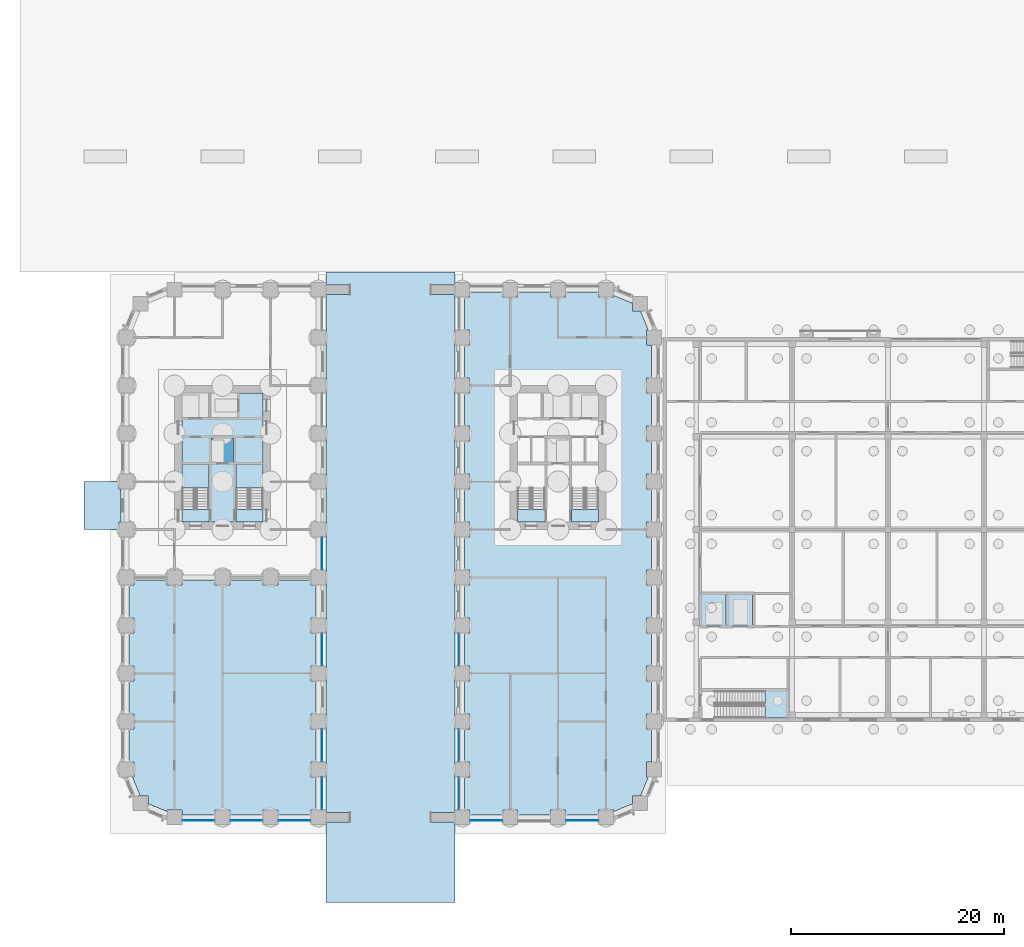
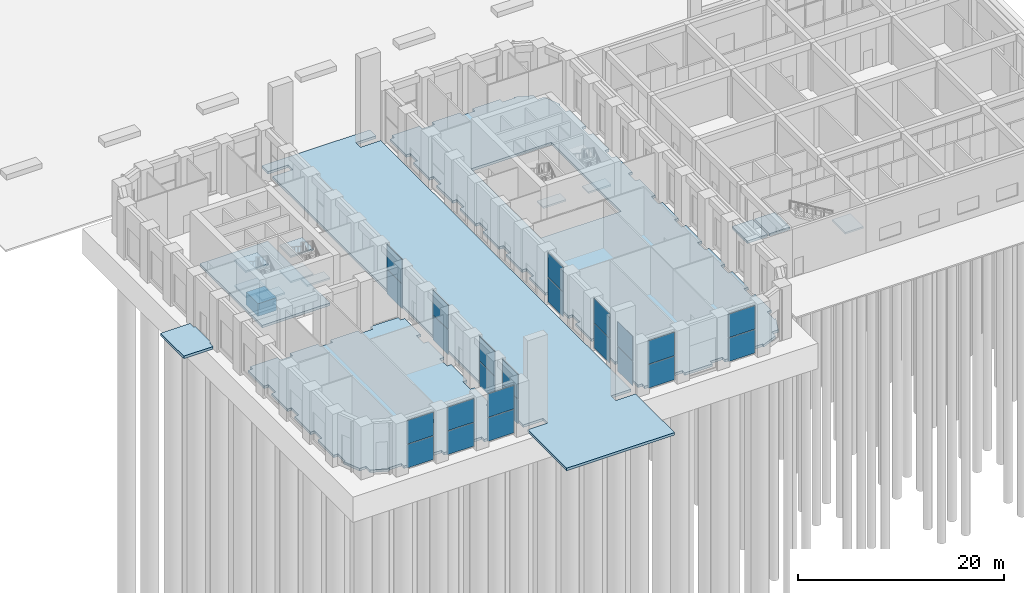
# One storey, part 11 of 31: 24 plates, 17 slabs, 17 elements without a shape of their own.
"""IFC4 building model written with IfcOpenShell, lengths in metres."""

from ifc_helpers import new_model, si_unit, direction, frame, origin, origin_2d, place, context, subcontext, project, spatial, polyline, rectangle, outline, extrude, material, layer, layer_set, type_object, element, aggregate, save


model = new_model("IFC4")

# Units and contexts
model_context = context("Model", 3, precision=1e-05, world=origin(), true_north=direction((0.0, 1.0)))
body_context = subcontext(model_context, "Body", "Model", "MODEL_VIEW")
ifc_project = project(units=[si_unit("LENGTHUNIT", "METRE"), si_unit("AREAUNIT", "SQUARE_METRE"), si_unit("VOLUMEUNIT", "CUBIC_METRE"), si_unit("PLANEANGLEUNIT", "RADIAN"), si_unit("MASSUNIT", "GRAM", prefix="KILO")], contexts=[model_context])

# Site, building, storey
site_placement = place(None, origin())
site = spatial("IfcSite", under=ifc_project, at=site_placement, CompositionType="ELEMENT")
building_placement = place(site_placement, origin())
building = spatial("IfcBuilding", under=site, at=building_placement, Name="Girih Gate Residences", CompositionType="ELEMENT")
storey_placement = place(building_placement, origin())
storey = spatial("IfcBuildingStorey", under=building, at=storey_placement, Name="L00", CompositionType="ELEMENT", Elevation=0.0)

# Curtain wall, plates
ifc_material_1 = material(Name="Aluminium curtain wall frame", Category="aluminium")
curtain_wall_type_1 = type_object("IfcCurtainWallType", Name="Curtain wall CW-6 street frontage glazing", PredefinedType="NOTDEFINED", material=ifc_material_1)
curtain_wall_1_placement = place(storey_placement, origin())
curtain_wall_1 = element("IfcCurtainWall", 1, at=curtain_wall_1_placement, inside=storey, type_object=curtain_wall_type_1, Name="CW-6 Street frontage glazing S0045_0000.0", PredefinedType="NOTDEFINED")
ifc_material_2 = material(Name="Laminated safety glass", Category="glass")
ifc_layer_1 = layer(ifc_material_2, 0.02197265625)
ifc_layer_set_1 = layer_set([ifc_layer_1], Name="Curtain wall glass panel 22")
plate_type = type_object("IfcPlateType", Name="Curtain wall glass panel 22", PredefinedType="CURTAIN_PANEL", material=ifc_layer_set_1)
plate_1_placement = place(storey_placement, frame((6.75, -0.304931640625, 0.06005859375), z_axis=(0.0, 0.0, 1.0), x_axis=(1.0, 0.0, 0.0)))
plate_1 = element("IfcPlate", 2, at=plate_1_placement, type_object=plate_type, Name="CW-6 panel 1.1", PredefinedType="CURTAIN_PANEL", context=body_context, shape_type="SweptSolid", body=[
    extrude(rectangle(XDim=2.97998046875, YDim=0.028076171875, at=origin_2d()), origin(), (0.0, 0.0, 1.0), 2.784912109375),
])
plate_2_placement = place(storey_placement, frame((6.75, -0.304931640625, 2.9052734375), z_axis=(0.0, 0.0, 1.0), x_axis=(1.0, 0.0, 0.0)))
plate_2 = element("IfcPlate", 3, at=plate_2_placement, type_object=plate_type, Name="CW-6 panel 1.2", PredefinedType="CURTAIN_PANEL", context=body_context, shape_type="SweptSolid", body=[
    extrude(rectangle(XDim=2.97998046875, YDim=0.028076171875, at=origin_2d()), origin(), (0.0, 0.0, 1.0), 2.784912109375),
])
aggregate(curtain_wall_1, [plate_1, plate_2])

curtain_wall_2_placement = place(storey_placement, origin())
curtain_wall_2 = element("IfcCurtainWall", 4, at=curtain_wall_2_placement, inside=storey, type_object=curtain_wall_type_1, Name="CW-6 Street frontage glazing S0045_0000.1", PredefinedType="NOTDEFINED")
plate_3_placement = place(storey_placement, frame((11.25, -0.304931640625, 0.06005859375), z_axis=(0.0, 0.0, 1.0), x_axis=(1.0, 0.0, 0.0)))
plate_3 = element("IfcPlate", 5, at=plate_3_placement, type_object=plate_type, Name="CW-6 panel 1.1", PredefinedType="CURTAIN_PANEL", context=body_context, shape_type="SweptSolid", body=[
    extrude(rectangle(XDim=2.97998046875, YDim=0.028076171875, at=origin_2d()), origin(), (0.0, 0.0, 1.0), 2.784912109375),
])
plate_4_placement = place(storey_placement, frame((11.25, -0.304931640625, 2.9052734375), z_axis=(0.0, 0.0, 1.0), x_axis=(1.0, 0.0, 0.0)))
plate_4 = element("IfcPlate", 6, at=plate_4_placement, type_object=plate_type, Name="CW-6 panel 1.2", PredefinedType="CURTAIN_PANEL", context=body_context, shape_type="SweptSolid", body=[
    extrude(rectangle(XDim=2.97998046875, YDim=0.028076171875, at=origin_2d()), origin(), (0.0, 0.0, 1.0), 2.784912109375),
])
aggregate(curtain_wall_2, [plate_3, plate_4])

curtain_wall_3_placement = place(storey_placement, origin())
curtain_wall_3 = element("IfcCurtainWall", 7, at=curtain_wall_3_placement, inside=storey, type_object=curtain_wall_type_1, Name="CW-6 Street frontage glazing S0045_0000.2", PredefinedType="NOTDEFINED")
plate_5_placement = place(storey_placement, frame((15.75, -0.304931640625, 0.06005859375), z_axis=(0.0, 0.0, 1.0), x_axis=(1.0, 0.0, 0.0)))
plate_5 = element("IfcPlate", 8, at=plate_5_placement, type_object=plate_type, Name="CW-6 panel 1.1", PredefinedType="CURTAIN_PANEL", context=body_context, shape_type="SweptSolid", body=[
    extrude(rectangle(XDim=2.97998046875, YDim=0.028076171875, at=origin_2d()), origin(), (0.0, 0.0, 1.0), 2.784912109375),
])
plate_6_placement = place(storey_placement, frame((15.75, -0.304931640625, 2.9052734375), z_axis=(0.0, 0.0, 1.0), x_axis=(1.0, 0.0, 0.0)))
plate_6 = element("IfcPlate", 9, at=plate_6_placement, type_object=plate_type, Name="CW-6 panel 1.2", PredefinedType="CURTAIN_PANEL", context=body_context, shape_type="SweptSolid", body=[
    extrude(rectangle(XDim=2.97998046875, YDim=0.028076171875, at=origin_2d()), origin(), (0.0, 0.0, 1.0), 2.784912109375),
])
aggregate(curtain_wall_3, [plate_5, plate_6])

curtain_wall_type_2 = type_object("IfcCurtainWallType", Name="Curtain wall CW-1 arcade glazing", PredefinedType="NOTDEFINED", material=ifc_material_1)
curtain_wall_4_placement = place(storey_placement, origin())
curtain_wall_4 = element("IfcCurtainWall", 10, at=curtain_wall_4_placement, inside=storey, type_object=curtain_wall_type_2, Name="CW-1 Arcade glazing E0180_0000.0", PredefinedType="NOTDEFINED")
plate_7_placement = place(storey_placement, frame((18.324951171875, 2.25, 0.06005859375), z_axis=(0.0, 0.0, 1.0), x_axis=(0.0, 1.0, 0.0)))
plate_7 = element("IfcPlate", 11, at=plate_7_placement, type_object=plate_type, Name="CW-1 panel 1.1", PredefinedType="CURTAIN_PANEL", context=body_context, shape_type="SweptSolid", body=[
    extrude(rectangle(XDim=2.97998046875, YDim=0.028076171875, at=origin_2d()), origin(), (0.0, 0.0, 1.0), 2.909912109375),
])
plate_8_placement = place(storey_placement, frame((18.324951171875, 2.25, 3.0302734375), z_axis=(0.0, 0.0, 1.0), x_axis=(0.0, 1.0, 0.0)))
plate_8 = element("IfcPlate", 12, at=plate_8_placement, type_object=plate_type, Name="CW-1 panel 1.2", PredefinedType="CURTAIN_PANEL", context=body_context, shape_type="SweptSolid", body=[
    extrude(rectangle(XDim=2.97998046875, YDim=0.028076171875, at=origin_2d()), origin(), (0.0, 0.0, 1.0), 2.909912109375),
])
aggregate(curtain_wall_4, [plate_7, plate_8])

curtain_wall_5_placement = place(storey_placement, origin())
curtain_wall_5 = element("IfcCurtainWall", 13, at=curtain_wall_5_placement, inside=storey, type_object=curtain_wall_type_2, Name="CW-1 Arcade glazing E0180_0000.1", PredefinedType="NOTDEFINED")
plate_9_placement = place(storey_placement, frame((18.324951171875, 6.75, 0.06005859375), z_axis=(0.0, 0.0, 1.0), x_axis=(0.0, 1.0, 0.0)))
plate_9 = element("IfcPlate", 14, at=plate_9_placement, type_object=plate_type, Name="CW-1 panel 1.1", PredefinedType="CURTAIN_PANEL", context=body_context, shape_type="SweptSolid", body=[
    extrude(rectangle(XDim=2.97998046875, YDim=0.028076171875, at=origin_2d()), origin(), (0.0, 0.0, 1.0), 2.909912109375),
])
plate_10_placement = place(storey_placement, frame((18.324951171875, 6.75, 3.0302734375), z_axis=(0.0, 0.0, 1.0), x_axis=(0.0, 1.0, 0.0)))
plate_10 = element("IfcPlate", 15, at=plate_10_placement, type_object=plate_type, Name="CW-1 panel 1.2", PredefinedType="CURTAIN_PANEL", context=body_context, shape_type="SweptSolid", body=[
    extrude(rectangle(XDim=2.97998046875, YDim=0.028076171875, at=origin_2d()), origin(), (0.0, 0.0, 1.0), 2.909912109375),
])
aggregate(curtain_wall_5, [plate_9, plate_10])

curtain_wall_6_placement = place(storey_placement, origin())
curtain_wall_6 = element("IfcCurtainWall", 16, at=curtain_wall_6_placement, inside=storey, type_object=curtain_wall_type_2, Name="CW-1 Arcade glazing E0180_0000.3", PredefinedType="NOTDEFINED")
plate_11_placement = place(storey_placement, frame((18.324951171875, 15.75, 0.06005859375), z_axis=(0.0, 0.0, 1.0), x_axis=(0.0, 1.0, 0.0)))
plate_11 = element("IfcPlate", 17, at=plate_11_placement, type_object=plate_type, Name="CW-1 panel 1.1", PredefinedType="CURTAIN_PANEL", context=body_context, shape_type="SweptSolid", body=[
    extrude(rectangle(XDim=2.97998046875, YDim=0.028076171875, at=origin_2d()), origin(), (0.0, 0.0, 1.0), 2.909912109375),
])
plate_12_placement = place(storey_placement, frame((18.324951171875, 15.75, 3.0302734375), z_axis=(0.0, 0.0, 1.0), x_axis=(0.0, 1.0, 0.0)))
plate_12 = element("IfcPlate", 18, at=plate_12_placement, type_object=plate_type, Name="CW-1 panel 1.2", PredefinedType="CURTAIN_PANEL", context=body_context, shape_type="SweptSolid", body=[
    extrude(rectangle(XDim=2.97998046875, YDim=0.028076171875, at=origin_2d()), origin(), (0.0, 0.0, 1.0), 2.909912109375),
])
aggregate(curtain_wall_6, [plate_11, plate_12])

curtain_wall_7_placement = place(storey_placement, origin())
curtain_wall_7 = element("IfcCurtainWall", 19, at=curtain_wall_7_placement, inside=storey, type_object=curtain_wall_type_2, Name="CW-1 Arcade glazing E0180_0000.5", PredefinedType="NOTDEFINED")
plate_13_placement = place(storey_placement, frame((18.324951171875, 24.75, 0.06005859375), z_axis=(0.0, 0.0, 1.0), x_axis=(0.0, 1.0, 0.0)))
plate_13 = element("IfcPlate", 20, at=plate_13_placement, type_object=plate_type, Name="CW-1 panel 1.1", PredefinedType="CURTAIN_PANEL", context=body_context, shape_type="SweptSolid", body=[
    extrude(rectangle(XDim=2.97998046875, YDim=0.028076171875, at=origin_2d()), origin(), (0.0, 0.0, 1.0), 2.909912109375),
])
plate_14_placement = place(storey_placement, frame((18.324951171875, 24.75, 3.0302734375), z_axis=(0.0, 0.0, 1.0), x_axis=(0.0, 1.0, 0.0)))
plate_14 = element("IfcPlate", 21, at=plate_14_placement, type_object=plate_type, Name="CW-1 panel 1.2", PredefinedType="CURTAIN_PANEL", context=body_context, shape_type="SweptSolid", body=[
    extrude(rectangle(XDim=2.97998046875, YDim=0.028076171875, at=origin_2d()), origin(), (0.0, 0.0, 1.0), 2.909912109375),
])
aggregate(curtain_wall_7, [plate_13, plate_14])

curtain_wall_8_placement = place(storey_placement, origin())
curtain_wall_8 = element("IfcCurtainWall", 22, at=curtain_wall_8_placement, inside=storey, type_object=curtain_wall_type_1, Name="CW-6 Street frontage glazing S0315_0000.0", PredefinedType="NOTDEFINED")
plate_15_placement = place(storey_placement, frame((33.75, -0.304931640625, 0.06005859375), z_axis=(0.0, 0.0, 1.0), x_axis=(1.0, 0.0, 0.0)))
plate_15 = element("IfcPlate", 23, at=plate_15_placement, type_object=plate_type, Name="CW-6 panel 1.1", PredefinedType="CURTAIN_PANEL", context=body_context, shape_type="SweptSolid", body=[
    extrude(rectangle(XDim=2.97998046875, YDim=0.028076171875, at=origin_2d()), origin(), (0.0, 0.0, 1.0), 2.784912109375),
])
plate_16_placement = place(storey_placement, frame((33.75, -0.304931640625, 2.9052734375), z_axis=(0.0, 0.0, 1.0), x_axis=(1.0, 0.0, 0.0)))
plate_16 = element("IfcPlate", 24, at=plate_16_placement, type_object=plate_type, Name="CW-6 panel 1.2", PredefinedType="CURTAIN_PANEL", context=body_context, shape_type="SweptSolid", body=[
    extrude(rectangle(XDim=2.97998046875, YDim=0.028076171875, at=origin_2d()), origin(), (0.0, 0.0, 1.0), 2.784912109375),
])
aggregate(curtain_wall_8, [plate_15, plate_16])

curtain_wall_9_placement = place(storey_placement, origin())
curtain_wall_9 = element("IfcCurtainWall", 25, at=curtain_wall_9_placement, inside=storey, type_object=curtain_wall_type_1, Name="CW-6 Street frontage glazing S0315_0000.2", PredefinedType="NOTDEFINED")
plate_17_placement = place(storey_placement, frame((42.75, -0.304931640625, 0.06005859375), z_axis=(0.0, 0.0, 1.0), x_axis=(1.0, 0.0, 0.0)))
plate_17 = element("IfcPlate", 26, at=plate_17_placement, type_object=plate_type, Name="CW-6 panel 1.1", PredefinedType="CURTAIN_PANEL", context=body_context, shape_type="SweptSolid", body=[
    extrude(rectangle(XDim=2.97998046875, YDim=0.028076171875, at=origin_2d()), origin(), (0.0, 0.0, 1.0), 2.784912109375),
])
plate_18_placement = place(storey_placement, frame((42.75, -0.304931640625, 2.9052734375), z_axis=(0.0, 0.0, 1.0), x_axis=(1.0, 0.0, 0.0)))
plate_18 = element("IfcPlate", 27, at=plate_18_placement, type_object=plate_type, Name="CW-6 panel 1.2", PredefinedType="CURTAIN_PANEL", context=body_context, shape_type="SweptSolid", body=[
    extrude(rectangle(XDim=2.97998046875, YDim=0.028076171875, at=origin_2d()), origin(), (0.0, 0.0, 1.0), 2.784912109375),
])
aggregate(curtain_wall_9, [plate_17, plate_18])

curtain_wall_10_placement = place(storey_placement, origin())
curtain_wall_10 = element("IfcCurtainWall", 28, at=curtain_wall_10_placement, inside=storey, type_object=curtain_wall_type_2, Name="CW-1 Arcade glazing W0315_0495.7", PredefinedType="NOTDEFINED")
plate_19_placement = place(storey_placement, frame((31.175048828125, 15.75, 0.06005859375), z_axis=(0.0, 0.0, 1.0), x_axis=(0.0, -1.0, 0.0)))
plate_19 = element("IfcPlate", 29, at=plate_19_placement, type_object=plate_type, Name="CW-1 panel 1.1", PredefinedType="CURTAIN_PANEL", context=body_context, shape_type="SweptSolid", body=[
    extrude(rectangle(XDim=2.97998046875, YDim=0.028076171875, at=origin_2d()), origin(), (0.0, 0.0, 1.0), 2.909912109375),
])
plate_20_placement = place(storey_placement, frame((31.175048828125, 15.75, 3.0302734375), z_axis=(0.0, 0.0, 1.0), x_axis=(0.0, -1.0, 0.0)))
plate_20 = element("IfcPlate", 30, at=plate_20_placement, type_object=plate_type, Name="CW-1 panel 1.2", PredefinedType="CURTAIN_PANEL", context=body_context, shape_type="SweptSolid", body=[
    extrude(rectangle(XDim=2.97998046875, YDim=0.028076171875, at=origin_2d()), origin(), (0.0, 0.0, 1.0), 2.909912109375),
])
aggregate(curtain_wall_10, [plate_19, plate_20])

curtain_wall_11_placement = place(storey_placement, origin())
curtain_wall_11 = element("IfcCurtainWall", 31, at=curtain_wall_11_placement, inside=storey, type_object=curtain_wall_type_2, Name="CW-1 Arcade glazing W0315_0495.9", PredefinedType="NOTDEFINED")
plate_21_placement = place(storey_placement, frame((31.175048828125, 6.75, 0.06005859375), z_axis=(0.0, 0.0, 1.0), x_axis=(0.0, -1.0, 0.0)))
plate_21 = element("IfcPlate", 32, at=plate_21_placement, type_object=plate_type, Name="CW-1 panel 1.1", PredefinedType="CURTAIN_PANEL", context=body_context, shape_type="SweptSolid", body=[
    extrude(rectangle(XDim=2.97998046875, YDim=0.028076171875, at=origin_2d()), origin(), (0.0, 0.0, 1.0), 2.909912109375),
])
plate_22_placement = place(storey_placement, frame((31.175048828125, 6.75, 3.0302734375), z_axis=(0.0, 0.0, 1.0), x_axis=(0.0, -1.0, 0.0)))
plate_22 = element("IfcPlate", 33, at=plate_22_placement, type_object=plate_type, Name="CW-1 panel 1.2", PredefinedType="CURTAIN_PANEL", context=body_context, shape_type="SweptSolid", body=[
    extrude(rectangle(XDim=2.97998046875, YDim=0.028076171875, at=origin_2d()), origin(), (0.0, 0.0, 1.0), 2.909912109375),
])
aggregate(curtain_wall_11, [plate_21, plate_22])

curtain_wall_12_placement = place(storey_placement, origin())
curtain_wall_12 = element("IfcCurtainWall", 34, at=curtain_wall_12_placement, inside=storey, type_object=curtain_wall_type_2, Name="CW-1 Arcade glazing W0315_0495.10", PredefinedType="NOTDEFINED")
plate_23_placement = place(storey_placement, frame((31.175048828125, 2.25, 0.06005859375), z_axis=(0.0, 0.0, 1.0), x_axis=(0.0, -1.0, 0.0)))
plate_23 = element("IfcPlate", 35, at=plate_23_placement, type_object=plate_type, Name="CW-1 panel 1.1", PredefinedType="CURTAIN_PANEL", context=body_context, shape_type="SweptSolid", body=[
    extrude(rectangle(XDim=2.97998046875, YDim=0.028076171875, at=origin_2d()), origin(), (0.0, 0.0, 1.0), 2.909912109375),
])
plate_24_placement = place(storey_placement, frame((31.175048828125, 2.25, 3.0302734375), z_axis=(0.0, 0.0, 1.0), x_axis=(0.0, -1.0, 0.0)))
plate_24 = element("IfcPlate", 36, at=plate_24_placement, type_object=plate_type, Name="CW-1 panel 1.2", PredefinedType="CURTAIN_PANEL", context=body_context, shape_type="SweptSolid", body=[
    extrude(rectangle(XDim=2.97998046875, YDim=0.028076171875, at=origin_2d()), origin(), (0.0, 0.0, 1.0), 2.909912109375),
])
aggregate(curtain_wall_12, [plate_23, plate_24])

# Slabs
ifc_material_3 = material(Name="Granite paving", Category="masonry")
ifc_layer_2 = layer(ifc_material_3, 0.06005859375, Name="Granite paver")
ifc_material_4 = material(Name="Sand-cement bedding mortar")
ifc_layer_3 = layer(ifc_material_4, 0.0400390625, Name="Bedding")
ifc_material_5 = material(Name="Concrete C30/37", Category="concrete")
ifc_layer_4 = layer(ifc_material_5, 0.199951171875, Name="Concrete base")
ifc_layer_set_2 = layer_set([ifc_layer_2, ifc_layer_3, ifc_layer_4], Name="Entrance apron paving 300")
slab_type_1 = type_object("IfcSlabType", Name="Entrance apron paving 300", PredefinedType="USERDEFINED", material=ifc_layer_set_2)
slab_1_placement = place(storey_placement, frame((0.0, 0.0, -0.300048828125)))
element("IfcSlab", 37, at=slab_1_placement, inside=storey, type_object=slab_type_1, Name="Entrance apron west", ObjectType="PAVING", PredefinedType="USERDEFINED", context=body_context, shape_type="SweptSolid", body=[
    extrude(outline(polyline([(-0.52490234375, 27.699951171875), (-0.699951171875, 27.699951171875), (-0.699951171875, 27.0), (-4.0, 27.0), (-4.0, 31.5), (-0.699951171875, 31.5), (-0.699951171875, 30.800048828125), (-0.52490234375, 30.800048828125), (-0.52490234375, 27.699951171875)])), origin(), (0.0, 0.0, 1.0), 0.300048828125),
])
ifc_material_6 = material(Name="Concrete C40/50", Category="concrete")
ifc_layer_5 = layer(ifc_material_6, 0.300048828125)
ifc_layer_set_3 = layer_set([ifc_layer_5], Name="Ground slab RC 300 Concrete C40/50")
slab_type_2 = type_object("IfcSlabType", Name="Ground slab RC 300 Concrete C40/50", PredefinedType="BASESLAB", material=ifc_layer_set_3)
slab_2_placement = place(storey_placement, frame((0.0, 0.0, -0.300048828125)))
element("IfcSlab", 38, at=slab_2_placement, inside=storey, type_object=slab_type_2, Name="Ground slab L00 0", PredefinedType="BASESLAB", context=body_context, shape_type="SweptSolid", body=[
    extrude(outline(polyline([(14.199951171875, 0.22509765625), (17.300048828125, 0.22509765625), (17.300048828125, 0.699951171875), (17.77490234375, 0.699951171875), (17.77490234375, 3.800048828125), (17.300048828125, 3.800048828125), (17.300048828125, 5.199951171875), (17.77490234375, 5.199951171875), (17.77490234375, 8.300048828125), (17.300048828125, 8.300048828125), (17.300048828125, 9.699951171875), (17.77490234375, 9.699951171875), (17.77490234375, 12.800048828125), (17.300048828125, 12.800048828125), (17.300048828125, 14.199951171875), (17.77490234375, 14.199951171875), (17.77490234375, 17.300048828125), (17.300048828125, 17.300048828125), (17.300048828125, 18.699951171875), (17.77490234375, 18.699951171875), (17.77490234375, 21.800048828125), (17.300048828125, 21.800048828125), (17.300048828125, 22.27490234375), (14.199951171875, 22.27490234375), (14.199951171875, 21.800048828125), (12.800048828125, 21.800048828125), (12.800048828125, 22.27490234375), (9.699951171875, 22.27490234375), (9.699951171875, 21.800048828125), (8.300048828125, 21.800048828125), (8.300048828125, 22.27490234375), (5.199951171875, 22.27490234375), (5.199951171875, 21.800048828125), (3.800048828125, 21.800048828125), (3.800048828125, 22.27490234375), (0.699951171875, 22.27490234375), (0.699951171875, 21.800048828125), (0.22509765625, 21.800048828125), (0.22509765625, 18.699951171875), (0.699951171875, 18.699951171875), (0.699951171875, 17.300048828125), (0.22509765625, 17.300048828125), (0.22509765625, 14.199951171875), (0.699951171875, 14.199951171875), (0.699951171875, 12.800048828125), (0.22509765625, 12.800048828125), (0.22509765625, 9.699951171875), (0.699951171875, 9.699951171875), (0.699951171875, 8.300048828125), (0.22509765625, 8.300048828125), (0.22509765625, 5.199951171875), (0.699951171875, 5.199951171875), (0.699951171875, 3.800048828125), (0.533447265625, 3.800048828125), (1.271728515625, 2.01806640625), (2.01806640625, 2.01806640625), (2.01806640625, 1.271728515625), (3.800048828125, 0.533447265625), (3.800048828125, 0.699951171875), (5.199951171875, 0.699951171875), (5.199951171875, 0.22509765625), (8.300048828125, 0.22509765625), (8.300048828125, 0.699951171875), (9.699951171875, 0.699951171875), (9.699951171875, 0.22509765625), (12.800048828125, 0.22509765625), (12.800048828125, 0.699951171875), (14.199951171875, 0.699951171875), (14.199951171875, 0.22509765625)])), origin(), (0.0, 0.0, 1.0), 0.300048828125),
])
slab_3_placement = place(storey_placement, frame((0.0, 0.0, -0.300048828125)))
element("IfcSlab", 39, at=slab_3_placement, inside=storey, type_object=slab_type_2, Name="Ground slab L00 1", PredefinedType="BASESLAB", context=body_context, shape_type="SweptSolid", body=[
    extrude(outline(polyline([(35.300048828125, 49.27490234375), (32.199951171875, 49.27490234375), (32.199951171875, 48.800048828125), (31.72509765625, 48.800048828125), (31.72509765625, 45.699951171875), (32.199951171875, 45.699951171875), (32.199951171875, 44.300048828125), (31.72509765625, 44.300048828125), (31.72509765625, 41.199951171875), (32.199951171875, 41.199951171875), (32.199951171875, 39.800048828125), (31.72509765625, 39.800048828125), (31.72509765625, 36.699951171875), (32.199951171875, 36.699951171875), (32.199951171875, 35.300048828125), (31.72509765625, 35.300048828125), (31.72509765625, 32.199951171875), (32.199951171875, 32.199951171875), (32.199951171875, 30.800048828125), (31.72509765625, 30.800048828125), (31.72509765625, 27.699951171875), (32.199951171875, 27.699951171875), (32.199951171875, 26.300048828125), (31.72509765625, 26.300048828125), (31.72509765625, 23.199951171875), (32.199951171875, 23.199951171875), (32.199951171875, 21.800048828125), (31.72509765625, 21.800048828125), (31.72509765625, 18.699951171875), (32.199951171875, 18.699951171875), (32.199951171875, 17.300048828125), (31.72509765625, 17.300048828125), (31.72509765625, 14.199951171875), (32.199951171875, 14.199951171875), (32.199951171875, 12.800048828125), (31.72509765625, 12.800048828125), (31.72509765625, 9.699951171875), (32.199951171875, 9.699951171875), (32.199951171875, 8.300048828125), (31.72509765625, 8.300048828125), (31.72509765625, 5.199951171875), (32.199951171875, 5.199951171875), (32.199951171875, 3.800048828125), (31.72509765625, 3.800048828125), (31.72509765625, 0.699951171875), (32.199951171875, 0.699951171875), (32.199951171875, 0.22509765625), (35.300048828125, 0.22509765625), (35.300048828125, 0.699951171875), (36.699951171875, 0.699951171875), (36.699951171875, 0.22509765625), (39.800048828125, 0.22509765625), (39.800048828125, 0.699951171875), (41.199951171875, 0.699951171875), (41.199951171875, 0.22509765625), (44.300048828125, 0.22509765625), (44.300048828125, 0.699951171875), (45.699951171875, 0.699951171875), (45.699951171875, 0.533447265625), (47.48193359375, 1.271728515625), (47.48193359375, 2.01806640625), (48.228271484375, 2.01806640625), (48.966552734375, 3.800048828125), (48.800048828125, 3.800048828125), (48.800048828125, 5.199951171875), (49.27490234375, 5.199951171875), (49.27490234375, 8.300048828125), (48.800048828125, 8.300048828125), (48.800048828125, 9.699951171875), (49.27490234375, 9.699951171875), (49.27490234375, 12.800048828125), (48.800048828125, 12.800048828125), (48.800048828125, 14.199951171875), (49.27490234375, 14.199951171875), (49.27490234375, 17.300048828125), (48.800048828125, 17.300048828125), (48.800048828125, 18.699951171875), (49.27490234375, 18.699951171875), (49.27490234375, 21.800048828125), (48.800048828125, 21.800048828125), (48.800048828125, 23.199951171875), (49.27490234375, 23.199951171875), (49.27490234375, 26.300048828125), (48.800048828125, 26.300048828125), (48.800048828125, 27.699951171875), (49.27490234375, 27.699951171875), (49.27490234375, 30.800048828125), (48.800048828125, 30.800048828125), (48.800048828125, 32.199951171875), (49.27490234375, 32.199951171875), (49.27490234375, 35.300048828125), (48.800048828125, 35.300048828125), (48.800048828125, 36.699951171875), (49.27490234375, 36.699951171875), (49.27490234375, 39.800048828125), (48.800048828125, 39.800048828125), (48.800048828125, 41.199951171875), (49.27490234375, 41.199951171875), (49.27490234375, 44.300048828125), (48.800048828125, 44.300048828125), (48.800048828125, 45.699951171875), (48.966552734375, 45.699951171875), (48.228271484375, 47.48193359375), (47.48193359375, 47.48193359375), (47.48193359375, 48.228271484375), (45.699951171875, 48.966552734375), (45.699951171875, 48.800048828125), (44.300048828125, 48.800048828125), (44.300048828125, 49.27490234375), (41.199951171875, 49.27490234375), (41.199951171875, 48.800048828125), (39.800048828125, 48.800048828125), (39.800048828125, 49.27490234375), (36.699951171875, 49.27490234375), (36.699951171875, 48.800048828125), (35.300048828125, 48.800048828125), (35.300048828125, 49.27490234375)]), holes=[polyline([(45.0, 40.5), (45.0, 27.0), (36.0, 27.0), (36.0, 40.5), (45.0, 40.5)])]), origin(), (0.0, 0.0, 1.0), 0.300048828125),
])
slab_4_placement = place(storey_placement, frame((0.0, 0.0, -0.300048828125)))
element("IfcSlab", 40, at=slab_4_placement, inside=storey, type_object=slab_type_2, Name="Ground slab L00 2", PredefinedType="BASESLAB", context=body_context, shape_type="SweptSolid", body=[
    extrude(outline(polyline([(5.199951171875, 27.699951171875), (12.800048828125, 27.699951171875), (12.800048828125, 39.800048828125), (5.199951171875, 39.800048828125), (5.199951171875, 27.699951171875)])), origin(), (0.0, 0.0, 1.0), 0.300048828125),
])
ifc_layer_6 = layer(ifc_material_6, 0.300048828125)
ifc_layer_set_4 = layer_set([ifc_layer_6], Name="HC Lift pit slab 300 C40/50")
slab_type_3 = type_object("IfcSlabType", Name="HC Lift pit slab 300 C40/50", PredefinedType="USERDEFINED", material=ifc_layer_set_4)
slab_5_placement = place(storey_placement, frame((0.0, 0.0, -1.5)))
element("IfcSlab", 41, at=slab_5_placement, inside=storey, type_object=slab_type_3, Name="Lift 1 pit slab", ObjectType="LIFT PIT SLAB", PredefinedType="USERDEFINED", context=body_context, shape_type="SweptSolid", body=[
    extrude(outline(polyline([(53.949951171875, 18.0), (56.25, 18.0), (56.25, 20.89990234375), (53.949951171875, 20.89990234375), (53.949951171875, 18.0)])), origin(), (0.0, 0.0, 1.0), 0.300048828125),
])
slab_6_placement = place(storey_placement, frame((0.0, 0.0, -1.5)))
element("IfcSlab", 42, at=slab_6_placement, inside=storey, type_object=slab_type_3, Name="Lift 2 pit slab", ObjectType="LIFT PIT SLAB", PredefinedType="USERDEFINED", context=body_context, shape_type="SweptSolid", body=[
    extrude(outline(polyline([(56.449951171875, 18.0), (58.75, 18.0), (58.75, 20.89990234375), (56.449951171875, 20.89990234375), (56.449951171875, 18.0)])), origin(), (0.0, 0.0, 1.0), 0.300048828125),
])

# Stair, slab
stair_type_1 = type_object("IfcStairType", Name="HC Stair", PredefinedType="HALF_TURN_STAIR", material=ifc_material_6)
stair_1_placement = place(storey_placement, origin())
stair_1 = element("IfcStair", 43, at=stair_1_placement, inside=storey, type_object=stair_type_1, Name="L00 stair A", PredefinedType="HALF_TURN_STAIR")
ifc_layer_7 = layer(ifc_material_6, 0.199951171875)
ifc_layer_set_5 = layer_set([ifc_layer_7], Name="HC Stair landing 200")
slab_type_4 = type_object("IfcSlabType", Name="HC Stair landing 200", PredefinedType="LANDING", material=ifc_layer_set_5)
slab_7_placement = place(storey_placement, frame((0.0, 0.0, 2.800048828125)))
slab_7 = element("IfcSlab", 44, at=slab_7_placement, type_object=slab_type_4, Name="HC-STA landing 1", PredefinedType="LANDING", context=body_context, shape_type="SweptSolid", body=[
    extrude(outline(polyline([(59.909912109375, 9.300048828125), (61.949951171875, 9.300048828125), (61.949951171875, 11.85009765625), (59.909912109375, 11.85009765625), (59.909912109375, 9.300048828125)])), origin(), (0.0, 0.0, 1.0), 0.199951171875),
])
aggregate(stair_1, [slab_7])

# Slabs
ifc_material_7 = material(Name="Concrete C35/45", Category="concrete")
ifc_layer_8 = layer(ifc_material_7, 1.5)
ifc_layer_set_6 = layer_set([ifc_layer_8], Name="Lift pit slab RC 1500 Concrete C35/45")
slab_type_5 = type_object("IfcSlabType", Name="Lift pit slab RC 1500 Concrete C35/45", PredefinedType="USERDEFINED", material=ifc_layer_set_6)
slab_8_placement = place(storey_placement, frame((0.0, 0.0, -3.300048828125)))
element("IfcSlab", 45, at=slab_8_placement, inside=storey, type_object=slab_type_5, Name="Lift pit slab FF-W", ObjectType="LIFT PIT SLAB", PredefinedType="USERDEFINED", context=body_context, shape_type="SweptSolid", body=[
    extrude(outline(polyline([(7.949951171875, 33.300048828125), (10.050048828125, 33.300048828125), (10.050048828125, 35.60009765625), (7.949951171875, 35.60009765625), (7.949951171875, 33.300048828125)])), origin(), (0.0, 0.0, 1.0), 1.5),
])
ifc_layer_9 = layer(ifc_material_3, 0.06005859375, Name="Granite paver")
ifc_layer_10 = layer(ifc_material_4, 0.0400390625, Name="Bedding")
ifc_layer_11 = layer(ifc_material_5, 0.199951171875, Name="Concrete base")
ifc_layer_set_7 = layer_set([ifc_layer_9, ifc_layer_10, ifc_layer_11], Name="Passage paving 300")
slab_type_6 = type_object("IfcSlabType", Name="Passage paving 300", PredefinedType="USERDEFINED", material=ifc_layer_set_7)
slab_9_placement = place(storey_placement, frame((0.0, 0.0, -0.300048828125)))
element("IfcSlab", 46, at=slab_9_placement, inside=storey, type_object=slab_type_6, Name="Arch passage paving", ObjectType="PAVING", PredefinedType="USERDEFINED", context=body_context, shape_type="SweptSolid", body=[
    extrude(outline(polyline([(28.550048828125, 0.449951171875), (28.550048828125, -0.449951171875), (30.800048828125, -0.449951171875), (30.800048828125, -8.0), (18.699951171875, -8.0), (18.699951171875, -0.449951171875), (20.949951171875, -0.449951171875), (20.949951171875, 0.449951171875), (18.699951171875, 0.449951171875), (18.699951171875, 49.050048828125), (20.949951171875, 49.050048828125), (20.949951171875, 49.949951171875), (18.699951171875, 49.949951171875), (18.699951171875, 51.14990234375), (30.800048828125, 51.14990234375), (30.800048828125, 49.949951171875), (28.550048828125, 49.949951171875), (28.550048828125, 49.050048828125), (30.800048828125, 49.050048828125), (30.800048828125, 0.449951171875), (28.550048828125, 0.449951171875)])), origin(), (0.0, 0.0, 1.0), 0.300048828125),
])

# Stair, slabs
stair_type_2 = type_object("IfcStairType", Name="Exit stair", PredefinedType="HALF_TURN_STAIR", material=ifc_material_6)
stair_2_placement = place(storey_placement, origin())
stair_2 = element("IfcStair", 47, at=stair_2_placement, inside=storey, type_object=stair_type_2, Name="L00 Exit Stair ST-W1", PredefinedType="HALF_TURN_STAIR")
ifc_layer_12 = layer(ifc_material_6, 0.199951171875)
ifc_layer_set_8 = layer_set([ifc_layer_12], Name="Stair landing 200")
slab_type_7 = type_object("IfcSlabType", Name="Stair landing 200", PredefinedType="LANDING", material=ifc_layer_set_8)
slab_10_placement = place(storey_placement, frame((0.0, 0.0, 1.300048828125)))
slab_10 = element("IfcSlab", 48, at=slab_10_placement, type_object=slab_type_7, Name="ST-W1 landing 1", PredefinedType="LANDING", context=body_context, shape_type="SweptSolid", body=[
    extrude(outline(polyline([(7.75, 30.89990234375), (7.75, 33.10009765625), (5.199951171875, 33.10009765625), (5.199951171875, 30.89990234375), (7.75, 30.89990234375)])), origin(), (0.0, 0.0, 1.0), 0.199951171875),
])
slab_11_placement = place(storey_placement, frame((0.0, 0.0, 2.800048828125)))
slab_11 = element("IfcSlab", 49, at=slab_11_placement, type_object=slab_type_7, Name="ST-W1 landing 2", PredefinedType="LANDING", context=body_context, shape_type="SweptSolid", body=[
    extrude(outline(polyline([(7.75, 27.699951171875), (7.75, 28.89990234375), (5.199951171875, 28.89990234375), (5.199951171875, 27.699951171875), (7.75, 27.699951171875)])), origin(), (0.0, 0.0, 1.0), 0.199951171875),
])
slab_12_placement = place(storey_placement, frame((0.0, 0.0, 4.300048828125)))
slab_12 = element("IfcSlab", 50, at=slab_12_placement, type_object=slab_type_7, Name="ST-W1 landing 3", PredefinedType="LANDING", context=body_context, shape_type="SweptSolid", body=[
    extrude(outline(polyline([(7.75, 30.89990234375), (7.75, 33.10009765625), (5.199951171875, 33.10009765625), (5.199951171875, 30.89990234375), (7.75, 30.89990234375)])), origin(), (0.0, 0.0, 1.0), 0.199951171875),
])
aggregate(stair_2, [slab_10, slab_11, slab_12])

stair_3_placement = place(storey_placement, origin())
stair_3 = element("IfcStair", 51, at=stair_3_placement, inside=storey, type_object=stair_type_2, Name="L00 Exit Stair ST-W2", PredefinedType="HALF_TURN_STAIR")
slab_13_placement = place(storey_placement, frame((0.0, 0.0, 1.300048828125)))
slab_13 = element("IfcSlab", 52, at=slab_13_placement, type_object=slab_type_7, Name="ST-W2 landing 1", PredefinedType="LANDING", context=body_context, shape_type="SweptSolid", body=[
    extrude(outline(polyline([(12.800048828125, 30.89990234375), (12.800048828125, 33.10009765625), (10.25, 33.10009765625), (10.25, 30.89990234375), (12.800048828125, 30.89990234375)])), origin(), (0.0, 0.0, 1.0), 0.199951171875),
])
slab_14_placement = place(storey_placement, frame((0.0, 0.0, 2.800048828125)))
slab_14 = element("IfcSlab", 53, at=slab_14_placement, type_object=slab_type_7, Name="ST-W2 landing 2", PredefinedType="LANDING", context=body_context, shape_type="SweptSolid", body=[
    extrude(outline(polyline([(12.800048828125, 27.699951171875), (12.800048828125, 28.89990234375), (10.25, 28.89990234375), (10.25, 27.699951171875), (12.800048828125, 27.699951171875)])), origin(), (0.0, 0.0, 1.0), 0.199951171875),
])
slab_15_placement = place(storey_placement, frame((0.0, 0.0, 4.300048828125)))
slab_15 = element("IfcSlab", 54, at=slab_15_placement, type_object=slab_type_7, Name="ST-W2 landing 3", PredefinedType="LANDING", context=body_context, shape_type="SweptSolid", body=[
    extrude(outline(polyline([(12.800048828125, 30.89990234375), (12.800048828125, 33.10009765625), (10.25, 33.10009765625), (10.25, 30.89990234375), (12.800048828125, 30.89990234375)])), origin(), (0.0, 0.0, 1.0), 0.199951171875),
])
aggregate(stair_3, [slab_13, slab_14, slab_15])

# Stair, slab
stair_4_placement = place(storey_placement, origin())
stair_4 = element("IfcStair", 55, at=stair_4_placement, inside=storey, type_object=stair_type_2, Name="L00 Exit Stair ST-E1", PredefinedType="HALF_TURN_STAIR")
slab_16_placement = place(storey_placement, frame((0.0, 0.0, 2.800048828125)))
slab_16 = element("IfcSlab", 56, at=slab_16_placement, type_object=slab_type_7, Name="ST-E1 landing 2", PredefinedType="LANDING", context=body_context, shape_type="SweptSolid", body=[
    extrude(outline(polyline([(44.300048828125, 27.699951171875), (44.300048828125, 28.89990234375), (41.75, 28.89990234375), (41.75, 27.699951171875), (44.300048828125, 27.699951171875)])), origin(), (0.0, 0.0, 1.0), 0.199951171875),
])
aggregate(stair_4, [slab_16])

stair_5_placement = place(storey_placement, origin())
stair_5 = element("IfcStair", 57, at=stair_5_placement, inside=storey, type_object=stair_type_2, Name="L00 Exit Stair ST-E2", PredefinedType="HALF_TURN_STAIR")
slab_17_placement = place(storey_placement, frame((0.0, 0.0, 2.800048828125)))
slab_17 = element("IfcSlab", 58, at=slab_17_placement, type_object=slab_type_7, Name="ST-E2 landing 2", PredefinedType="LANDING", context=body_context, shape_type="SweptSolid", body=[
    extrude(outline(polyline([(39.25, 27.699951171875), (39.25, 28.89990234375), (36.699951171875, 28.89990234375), (36.699951171875, 27.699951171875), (39.25, 27.699951171875)])), origin(), (0.0, 0.0, 1.0), 0.199951171875),
])
aggregate(stair_5, [slab_17])

save(model, "model.ifc")
